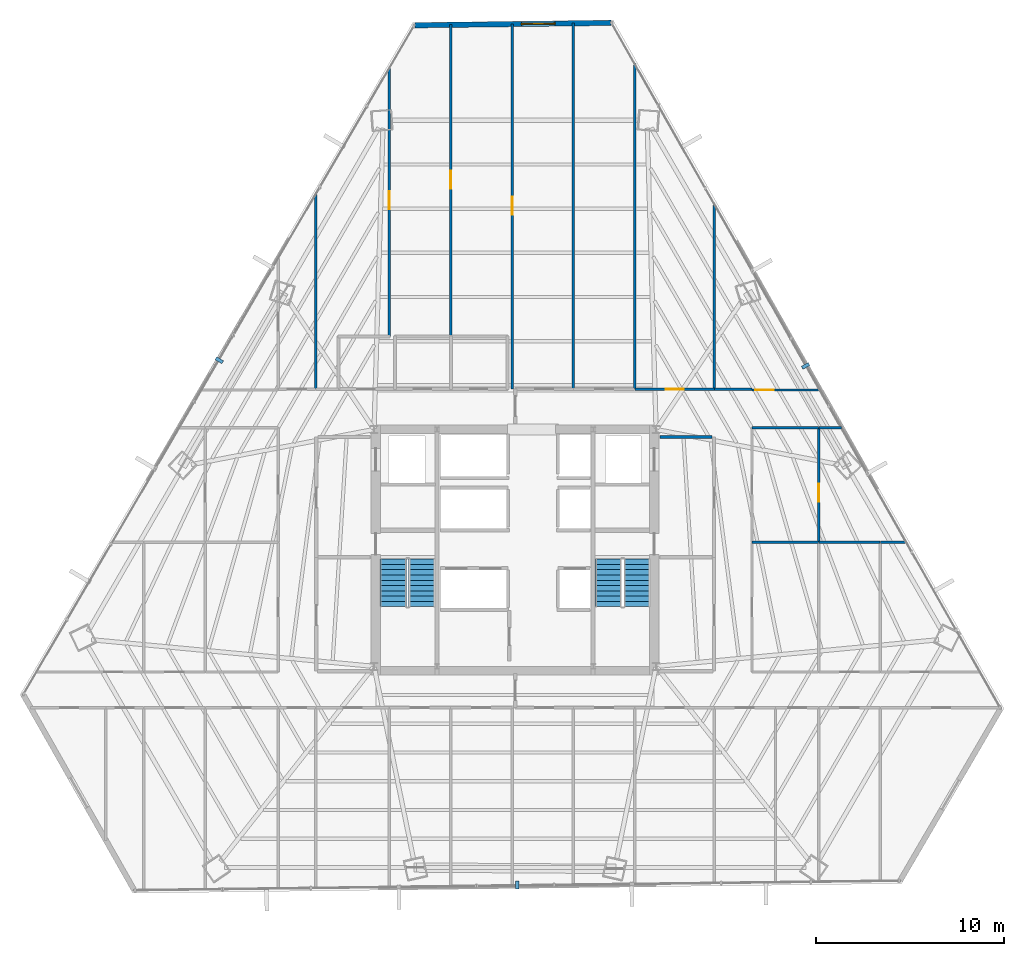
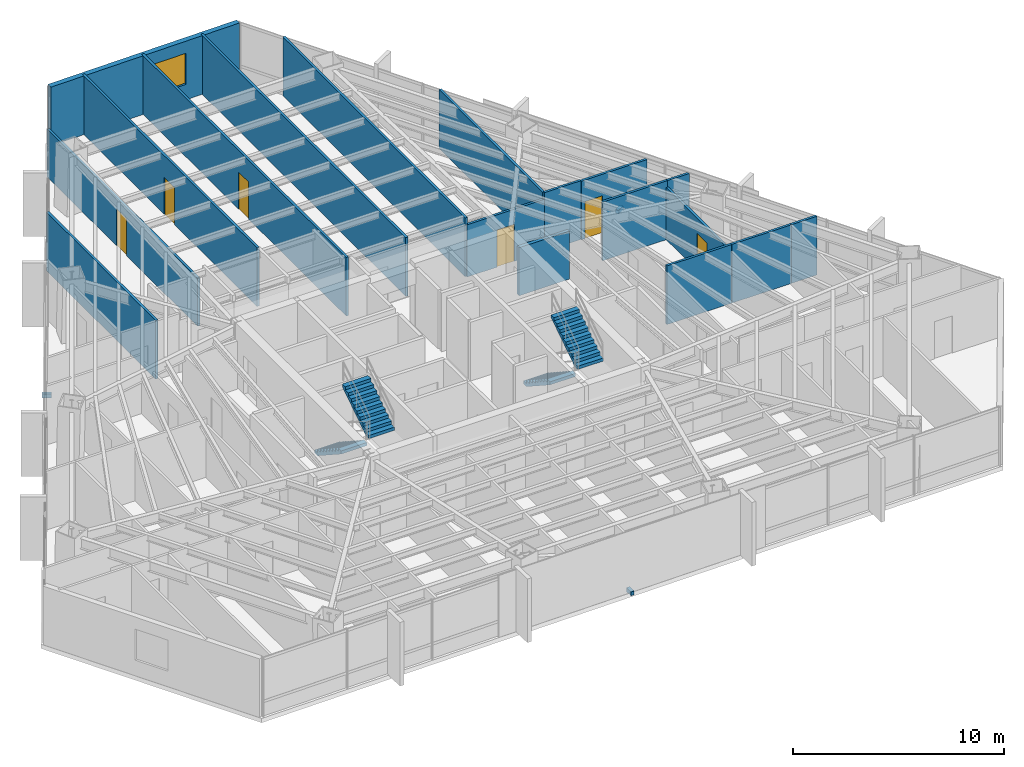
# One storey, part 34 of 37: 18 walls, 6 doors, 4 stair flights, 3 discrete accessories, 1 window, 7 openings, 2 elements without a shape of their own.
"""IFC4 building model written with IfcOpenShell, lengths in metres."""

from ifc_helpers import new_model, si_unit, direction, frame, frame_2d, origin, origin_2d, place, context, subcontext, project, spatial, polyline, rectangle, outline, extrude, source, transform, mapped, material, layer, layer_set, type_object, type_shapes, element, fill, aggregate, save


model = new_model("IFC4")

# Units and contexts
model_context = context("Model", 3, precision=1e-05, world=origin(), true_north=direction((0.0, 1.0)))
body_context = subcontext(model_context, "Body", "Model", "MODEL_VIEW")
ifc_project = project(units=[si_unit("LENGTHUNIT", "METRE"), si_unit("AREAUNIT", "SQUARE_METRE"), si_unit("VOLUMEUNIT", "CUBIC_METRE"), si_unit("PLANEANGLEUNIT", "RADIAN"), si_unit("MASSUNIT", "GRAM", prefix="KILO")], contexts=[model_context])

# Site, building, storey
site_placement = place(None, origin())
site = spatial("IfcSite", under=ifc_project, at=site_placement, CompositionType="ELEMENT")
building_placement = place(site_placement, origin())
building = spatial("IfcBuilding", under=site, at=building_placement, Name="Caelisora Broadcast Tower", CompositionType="ELEMENT")
storey_placement = place(building_placement, frame((0.0, 0.0, 120.0)))
storey = spatial("IfcBuildingStorey", under=building, at=storey_placement, Name="L31", CompositionType="ELEMENT", Elevation=120.0)

# Wall, opening, window
ifc_material_1 = material(Name="Insulated Terracotta Spandrel Wall System", Category="masonry")
ifc_layer_1 = layer(ifc_material_1, 0.280029296875, Name="Insulated Terracotta Spandrel Wall System")
ifc_layer_set_1 = layer_set([ifc_layer_1], Name="Insulated Terracotta Spandrel Wall System")
wall_type_1 = type_object("IfcWallType", Name="EW1", PredefinedType="STANDARD", material=ifc_layer_set_1)
wall_1_placement = place(storey_placement, frame((32.675048828125, 51.496337890625, 0.0), z_axis=(0.0, 0.0, 1.0), x_axis=(0.999923210631, 0.012392450999, 0.0)))
wall_1 = element("IfcWall", 1, at=wall_1_placement, inside=storey, type_object=wall_type_1, Name="L31 exterior envelope wall EW1", PredefinedType="STANDARD", context=body_context, shape_type="SweptSolid", body=[
    extrude(rectangle(XDim=10.421630859375, YDim=0.280029296875, at=frame_2d((5.2109375, 0.0))), origin(), (0.0, 0.0, 1.0), 3.39990234375),
])
opening_1_placement = place(wall_1_placement, frame((5.659912109375, 0.0, 0.89990234375)))
opening_1 = element("IfcOpeningElement", 2, at=opening_1_placement, cuts=wall_1, Name="Opening W01", PredefinedType="OPENING", context=body_context, shape_type="SweptSolid", body=[
    extrude(rectangle(XDim=1.800048828125, YDim=1.800048828125, at=frame_2d((0.89990234375, 0.89990234375))), frame((0.0, 0.152099609375, 0.0), z_axis=(0.0, -1.0, 0.0), x_axis=(1.0, 0.0, 0.0)), (0.0, 0.0, 1.0), 0.303955078125),
])
ifc_material_2 = material(Name="Double Glazed Terracotta-Framed Vision Window", Category="glass")
window_type = type_object("IfcWindowType", Name="W01", PartitioningType="SINGLE_PANEL", PredefinedType="WINDOW", material=ifc_material_2)
window_placement = place(opening_1_placement, origin())
window = element("IfcWindow", 3, at=window_placement, inside=storey, type_object=window_type, Name="L31 window W01 (L31-WN-CH8)", OverallHeight=1.800048828125, OverallWidth=1.800048828125, PartitioningType="SINGLE_PANEL", PredefinedType="WINDOW", context=body_context, shape_type="SweptSolid", body=[
    extrude(rectangle(XDim=1.800048828125, YDim=1.800048828125, at=frame_2d((0.89990234375, 0.89990234375))), frame((0.0, 0.030029296875, 0.0), z_axis=(0.0, -1.0, 0.0), x_axis=(1.0, 0.0, 0.0)), (0.0, 0.0, 1.0), 0.06005859375),
])
fill(opening_1, window)

# Walls
ifc_material_3 = material(Name="Fire-Rated Gypsum Shaft and Compartment Wall", Category="gypsum")
ifc_layer_2 = layer(ifc_material_3, 0.179931640625, Name="Fire-Rated Gypsum Shaft and Compartment Wall")
ifc_layer_set_2 = layer_set([ifc_layer_2], Name="Fire-Rated Gypsum Shaft and Compartment Wall")
wall_type_2 = type_object("IfcWallType", Name="PW2", PredefinedType="PARTITIONING", material=ifc_layer_set_2)
wall_2_placement = place(storey_placement, frame((45.719970703125, 29.60009765625, 0.0), z_axis=(0.0, 0.0, 1.0), x_axis=(1.0, 0.0, 0.0)))
element("IfcWall", 4, at=wall_2_placement, inside=storey, type_object=wall_type_2, Name="L31 fire compartment wall PW2", PredefinedType="PARTITIONING", context=body_context, shape_type="SweptSolid", body=[
    extrude(rectangle(XDim=2.760009765625, YDim=0.179931640625, at=frame_2d((1.3798828125, 0.0))), origin(), (0.0, 0.0, 1.0), 2.78271484375),
])
ifc_material_4 = material(Name="Acoustic Steel-Stud Plasterboard Partition", Category="gypsum")
ifc_layer_3 = layer(ifc_material_4, 0.1298828125, Name="Acoustic Steel-Stud Plasterboard Partition")
ifc_layer_set_3 = layer_set([ifc_layer_3], Name="Acoustic Steel-Stud Plasterboard Partition")
wall_type_3 = type_object("IfcWallType", Name="PW3", PredefinedType="PARTITIONING", material=ifc_layer_set_3)
wall_3_placement = place(storey_placement, frame((41.10009765625, 32.155029296875, 0.0), z_axis=(0.0, 0.0, 1.0), x_axis=(0.0, 1.0, 0.0)))
element("IfcWall", 5, at=wall_3_placement, inside=storey, type_object=wall_type_3, Name="L31 internal partition PW3", PredefinedType="PARTITIONING", context=body_context, shape_type="SweptSolid", body=[
    extrude(rectangle(XDim=19.45068359375, YDim=0.1298828125, at=frame_2d((9.725341796875, 0.0))), origin(), (0.0, 0.0, 1.0), 3.39990234375),
])

# Wall, opening, door
wall_4_placement = place(storey_placement, frame((37.840087890625, 32.155029296875, 0.0), z_axis=(0.0, 0.0, 1.0), x_axis=(0.0, 1.0, 0.0)))
wall_4 = element("IfcWall", 6, at=wall_4_placement, inside=storey, type_object=wall_type_3, Name="L31 internal partition PW3", PredefinedType="PARTITIONING", context=body_context, shape_type="SweptSolid", body=[
    extrude(rectangle(XDim=19.410400390625, YDim=0.1298828125, at=frame_2d((9.705078125, 0.0))), origin(), (0.0, 0.0, 1.0), 3.39990234375),
])
opening_2_placement = place(wall_4_placement, frame((9.27197265625, 0.0, 0.0)))
opening_2 = element("IfcOpeningElement", 7, at=opening_2_placement, cuts=wall_4, Name="Opening D01", PredefinedType="OPENING", context=body_context, shape_type="SweptSolid", body=[
    extrude(rectangle(XDim=0.9599609375, YDim=2.14990234375, at=frame_2d((0.47998046875, 1.074951171875))), frame((0.0, 0.076904296875, 0.0), z_axis=(0.0, -1.0, 0.0), x_axis=(1.0, 0.0, 0.0)), (0.0, 0.0, 1.0), 0.15380859375),
])
ifc_material_5 = material(Name="Solid-Core Timber Acoustic Office Door", Category="wood")
door_type = type_object("IfcDoorType", Name="D01", OperationType="NOTDEFINED", PredefinedType="DOOR", material=ifc_material_5)
door_1_placement = place(opening_2_placement, origin())
door_1 = element("IfcDoor", 8, at=door_1_placement, inside=storey, type_object=door_type, Name="L31 door D01 (L31-DR-P27D1)", OperationType="SINGLE_SWING_LEFT", OverallHeight=2.14990234375, OverallWidth=0.9599609375, PredefinedType="DOOR", context=body_context, shape_type="SweptSolid", body=[
    extrude(rectangle(XDim=0.9599609375, YDim=2.14990234375, at=frame_2d((0.47998046875, 1.074951171875))), frame((0.0, 0.02490234375, 0.0), z_axis=(0.0, -1.0, 0.0), x_axis=(1.0, 0.0, 0.0)), (0.0, 0.0, 1.0), 0.050048828125),
])
fill(opening_2, door_1)

# Wall
wall_5_placement = place(storey_placement, frame((44.360107421875, 32.155029296875, 0.0), z_axis=(0.0, 0.0, 1.0), x_axis=(0.0, 1.0, 0.0)))
element("IfcWall", 9, at=wall_5_placement, inside=storey, type_object=wall_type_3, Name="L31 internal partition PW3", PredefinedType="PARTITIONING", context=body_context, shape_type="SweptSolid", body=[
    extrude(rectangle(XDim=17.307861328125, YDim=0.1298828125, at=frame_2d((8.65380859375, 0.0))), origin(), (0.0, 0.0, 1.0), 3.39990234375),
])

# Wall, opening, door
wall_6_placement = place(storey_placement, frame((34.570068359375, 34.955078125, 0.0), z_axis=(0.0, 0.0, 1.0), x_axis=(0.0, 1.0, 0.0)))
wall_6 = element("IfcWall", 10, at=wall_6_placement, inside=storey, type_object=wall_type_3, Name="L31 internal partition PW3", PredefinedType="PARTITIONING", context=body_context, shape_type="SweptSolid", body=[
    extrude(rectangle(XDim=16.56982421875, YDim=0.1298828125, at=frame_2d((8.284912109375, 0.0))), origin(), (0.0, 0.0, 1.0), 3.39990234375),
])
opening_3_placement = place(wall_6_placement, frame((7.85205078125, 0.0, 0.0)))
opening_3 = element("IfcOpeningElement", 11, at=opening_3_placement, cuts=wall_6, Name="Opening D01", PredefinedType="OPENING", context=body_context, shape_type="SweptSolid", body=[
    extrude(rectangle(XDim=0.9599609375, YDim=2.14990234375, at=frame_2d((0.47998046875, 1.074951171875))), frame((0.0, 0.076904296875, 0.0), z_axis=(0.0, -1.0, 0.0), x_axis=(1.0, 0.0, 0.0)), (0.0, 0.0, 1.0), 0.15380859375),
])
door_2_placement = place(opening_3_placement, origin())
door_2 = element("IfcDoor", 12, at=door_2_placement, inside=storey, type_object=door_type, Name="L31 door D01 (L31-DR-P29D1)", OperationType="SINGLE_SWING_RIGHT", OverallHeight=2.14990234375, OverallWidth=0.9599609375, PredefinedType="DOOR", context=body_context, shape_type="SweptSolid", body=[
    extrude(rectangle(XDim=0.9599609375, YDim=2.14990234375, at=frame_2d((0.47998046875, 1.074951171875))), frame((0.0, 0.02490234375, 0.0), z_axis=(0.0, -1.0, 0.0), x_axis=(1.0, 0.0, 0.0)), (0.0, 0.0, 1.0), 0.050048828125),
])
fill(opening_3, door_2)

wall_7_placement = place(storey_placement, frame((31.31005859375, 34.955078125, 0.0), z_axis=(0.0, 0.0, 1.0), x_axis=(0.0, 1.0, 0.0)))
wall_7 = element("IfcWall", 13, at=wall_7_placement, inside=storey, type_object=wall_type_3, Name="L31 internal partition PW3", PredefinedType="PARTITIONING", context=body_context, shape_type="SweptSolid", body=[
    extrude(rectangle(XDim=14.2666015625, YDim=0.1298828125, at=frame_2d((7.13330078125, 0.0))), origin(), (0.0, 0.0, 1.0), 2.78271484375),
])
opening_4_placement = place(wall_7_placement, frame((6.7470703125, 0.0, 0.0)))
opening_4 = element("IfcOpeningElement", 14, at=opening_4_placement, cuts=wall_7, Name="Opening D01", PredefinedType="OPENING", context=body_context, shape_type="SweptSolid", body=[
    extrude(rectangle(XDim=0.9599609375, YDim=2.14990234375, at=frame_2d((0.47998046875, 1.074951171875))), frame((0.0, 0.076904296875, 0.0), z_axis=(0.0, -1.0, 0.0), x_axis=(1.0, 0.0, 0.0)), (0.0, 0.0, 1.0), 0.15380859375),
])
door_3_placement = place(opening_4_placement, origin())
door_3 = element("IfcDoor", 15, at=door_3_placement, inside=storey, type_object=door_type, Name="L31 door D01 (L31-DR-P30D1)", OperationType="SINGLE_SWING_LEFT", OverallHeight=2.14990234375, OverallWidth=0.9599609375, PredefinedType="DOOR", context=body_context, shape_type="SweptSolid", body=[
    extrude(rectangle(XDim=0.9599609375, YDim=2.14990234375, at=frame_2d((0.47998046875, 1.074951171875))), frame((0.0, 0.02490234375, 0.0), z_axis=(0.0, -1.0, 0.0), x_axis=(1.0, 0.0, 0.0)), (0.0, 0.0, 1.0), 0.050048828125),
])
fill(opening_4, door_3)

# Walls
wall_8_placement = place(storey_placement, frame((27.39990234375, 32.155029296875, 0.0), z_axis=(0.0, 0.0, 1.0), x_axis=(0.0, 1.0, 0.0)))
element("IfcWall", 16, at=wall_8_placement, inside=storey, type_object=wall_type_3, Name="L31 internal partition PW3", PredefinedType="PARTITIONING", context=body_context, shape_type="SweptSolid", body=[
    extrude(rectangle(XDim=10.374755859375, YDim=0.1298828125, at=frame_2d((5.1875, 0.0))), origin(), (0.0, 0.0, 1.0), 3.39990234375),
])
wall_9_placement = place(storey_placement, frame((48.60009765625, 32.155029296875, 0.0), z_axis=(0.0, 0.0, 1.0), x_axis=(0.0, 1.0, 0.0)))
element("IfcWall", 17, at=wall_9_placement, inside=storey, type_object=wall_type_3, Name="L31 internal partition PW3", PredefinedType="PARTITIONING", context=body_context, shape_type="SweptSolid", body=[
    extrude(rectangle(XDim=9.83984375, YDim=0.1298828125, at=frame_2d((4.919921875, 0.0))), origin(), (0.0, 0.0, 1.0), 3.39990234375),
])

# Wall, opening, door
wall_10_placement = place(storey_placement, frame((54.14990234375, 24.0048828125, 0.0), z_axis=(0.0, 0.0, 1.0), x_axis=(0.0, 1.0, 0.0)))
wall_10 = element("IfcWall", 18, at=wall_10_placement, inside=storey, type_object=wall_type_3, Name="L31 internal partition PW3", PredefinedType="PARTITIONING", context=body_context, shape_type="SweptSolid", body=[
    extrude(rectangle(XDim=6.090087890625, YDim=0.1298828125, at=frame_2d((3.044921875, 0.0))), origin(), (0.0, 0.0, 1.0), 3.0263671875),
])
opening_5_placement = place(wall_10_placement, frame((2.159912109375, 0.0, 0.0)))
opening_5 = element("IfcOpeningElement", 19, at=opening_5_placement, cuts=wall_10, Name="Opening D01", PredefinedType="OPENING", context=body_context, shape_type="SweptSolid", body=[
    extrude(rectangle(XDim=0.9599609375, YDim=2.14990234375, at=frame_2d((0.47998046875, 1.074951171875))), frame((0.0, 0.076904296875, 0.0), z_axis=(0.0, -1.0, 0.0), x_axis=(1.0, 0.0, 0.0)), (0.0, 0.0, 1.0), 0.15380859375),
])
door_4_placement = place(opening_5_placement, origin())
door_4 = element("IfcDoor", 20, at=door_4_placement, inside=storey, type_object=door_type, Name="L31 door D01 (L31-DR-P57D1)", OperationType="SINGLE_SWING_RIGHT", OverallHeight=2.14990234375, OverallWidth=0.9599609375, PredefinedType="DOOR", context=body_context, shape_type="SweptSolid", body=[
    extrude(rectangle(XDim=0.9599609375, YDim=2.14990234375, at=frame_2d((0.47998046875, 1.074951171875))), frame((0.0, 0.02490234375, 0.0), z_axis=(0.0, -1.0, 0.0), x_axis=(1.0, 0.0, 0.0)), (0.0, 0.0, 1.0), 0.050048828125),
])
fill(opening_5, door_4)

wall_11_placement = place(storey_placement, frame((44.364990234375, 32.14990234375, 0.0), z_axis=(0.0, 0.0, 1.0), x_axis=(1.0, 0.0, 0.0)))
wall_11 = element("IfcWall", 21, at=wall_11_placement, inside=storey, type_object=wall_type_3, Name="L31 internal partition PW3", PredefinedType="PARTITIONING", context=body_context, shape_type="SweptSolid", body=[
    extrude(rectangle(XDim=4.22998046875, YDim=0.1298828125, at=frame_2d((2.114990234375, 0.0))), origin(), (0.0, 0.0, 1.0), 3.0263671875),
])
opening_6_placement = place(wall_11_placement, frame((1.635009765625, 0.0, 0.0)))
opening_6 = element("IfcOpeningElement", 22, at=opening_6_placement, cuts=wall_11, Name="Opening D01", PredefinedType="OPENING", context=body_context, shape_type="SweptSolid", body=[
    extrude(rectangle(XDim=0.9599609375, YDim=2.14990234375, at=frame_2d((0.47998046875, 1.074951171875))), frame((0.0, 0.076904296875, 0.0), z_axis=(0.0, -1.0, 0.0), x_axis=(1.0, 0.0, 0.0)), (0.0, 0.0, 1.0), 0.15380859375),
])
door_5_placement = place(opening_6_placement, origin())
door_5 = element("IfcDoor", 23, at=door_5_placement, inside=storey, type_object=door_type, Name="L31 door D01 (L31-DR-P61D1)", OperationType="SINGLE_SWING_RIGHT", OverallHeight=2.14990234375, OverallWidth=0.9599609375, PredefinedType="DOOR", context=body_context, shape_type="SweptSolid", body=[
    extrude(rectangle(XDim=0.9599609375, YDim=2.14990234375, at=frame_2d((0.47998046875, 1.074951171875))), frame((0.0, 0.02490234375, 0.0), z_axis=(0.0, -1.0, 0.0), x_axis=(1.0, 0.0, 0.0)), (0.0, 0.0, 1.0), 0.050048828125),
])
fill(opening_6, door_5)

wall_12_placement = place(storey_placement, frame((50.60498046875, 32.10009765625, 0.0), z_axis=(0.0, 0.0, 1.0), x_axis=(1.0, 0.0, 0.0)))
wall_12 = element("IfcWall", 24, at=wall_12_placement, inside=storey, type_object=wall_type_3, Name="L31 internal partition PW3", PredefinedType="PARTITIONING", context=body_context, shape_type="SweptSolid", body=[
    extrude(rectangle(XDim=3.5869140625, YDim=0.1298828125, at=frame_2d((1.79345703125, 0.0))), origin(), (0.0, 0.0, 1.0), 3.39990234375),
])
opening_7_placement = place(wall_12_placement, frame((0.179931640625, 0.0, 0.0)))
opening_7 = element("IfcOpeningElement", 25, at=opening_7_placement, cuts=wall_12, Name="Opening D01", PredefinedType="OPENING", context=body_context, shape_type="SweptSolid", body=[
    extrude(rectangle(XDim=0.9599609375, YDim=2.14990234375, at=frame_2d((0.47998046875, 1.074951171875))), frame((0.0, 0.076904296875, 0.0), z_axis=(0.0, -1.0, 0.0), x_axis=(1.0, 0.0, 0.0)), (0.0, 0.0, 1.0), 0.15380859375),
])
door_6_placement = place(opening_7_placement, origin())
door_6 = element("IfcDoor", 26, at=door_6_placement, inside=storey, type_object=door_type, Name="L31 door D01 (L31-DR-RSC01)", OperationType="SINGLE_SWING_RIGHT", OverallHeight=2.14990234375, OverallWidth=0.9599609375, PredefinedType="DOOR", context=body_context, shape_type="SweptSolid", body=[
    extrude(rectangle(XDim=0.9599609375, YDim=2.14990234375, at=frame_2d((0.47998046875, 1.074951171875))), frame((0.0, 0.02490234375, 0.0), z_axis=(0.0, -1.0, 0.0), x_axis=(1.0, 0.0, 0.0)), (0.0, 0.0, 1.0), 0.050048828125),
])
fill(opening_7, door_6)

# Walls
for number, where, z_axis, x_axis, name in (
    (27, (50.60498046875, 30.10009765625, 0.0), (0.0, 0.0, 1.0), (1.0, 0.0, 0.0), "L31 internal partition PW3"),
    (28, (50.60498046875, 24.0, 0.0), (0.0, 0.0, 1.0), (1.0, 0.0, 0.0), "L31 internal partition PW3"),
):
    element("IfcWall", number, at=place(storey_placement, frame(where, z_axis=z_axis, x_axis=x_axis)), inside=storey, type_object=wall_type_3, Name=name, PredefinedType="PARTITIONING", context=body_context, shape_type="SweptSolid", body=[
        extrude(rectangle(XDim=3.5400390625, YDim=0.1298828125, at=frame_2d((1.77001953125, 0.0))), origin(), (0.0, 0.0, 1.0), 3.39990234375),
    ])
wall_13_placement = place(storey_placement, frame((54.155029296875, 24.0, 0.0), z_axis=(0.0, 0.0, 1.0), x_axis=(1.0, 0.0, 0.0)))
element("IfcWall", 29, at=wall_13_placement, inside=storey, type_object=wall_type_3, Name="L31 internal partition PW3", PredefinedType="PARTITIONING", context=body_context, shape_type="SweptSolid", body=[
    extrude(rectangle(XDim=3.260009765625, YDim=0.1298828125, at=frame_2d((1.6298828125, 0.0))), origin(), (0.0, 0.0, 1.0), 3.39990234375),
])
wall_14_placement = place(storey_placement, frame((48.60498046875, 32.14990234375, 0.0), z_axis=(0.0, 0.0, 1.0), x_axis=(1.0, 0.0, 0.0)))
element("IfcWall", 30, at=wall_14_placement, inside=storey, type_object=wall_type_3, Name="L31 internal partition PW3", PredefinedType="PARTITIONING", context=body_context, shape_type="SweptSolid", body=[
    extrude(rectangle(XDim=1.989990234375, YDim=0.1298828125, at=frame_2d((0.9951171875, 0.0))), origin(), (0.0, 0.0, 1.0), 3.39990234375),
])
wall_15_placement = place(storey_placement, frame((57.425048828125, 24.0, 0.0), z_axis=(0.0, 0.0, 1.0), x_axis=(1.0, 0.0, 0.0)))
element("IfcWall", 31, at=wall_15_placement, inside=storey, type_object=wall_type_3, Name="L31 internal partition PW3", PredefinedType="PARTITIONING", context=body_context, shape_type="SweptSolid", body=[
    extrude(rectangle(XDim=1.391357421875, YDim=0.1298828125, at=frame_2d((0.69580078125, 0.0))), origin(), (0.0, 0.0, 1.0), 3.39990234375),
])
wall_16_placement = place(storey_placement, frame((54.155029296875, 30.10009765625, 0.0), z_axis=(0.0, 0.0, 1.0), x_axis=(1.0, 0.0, 0.0)))
element("IfcWall", 32, at=wall_16_placement, inside=storey, type_object=wall_type_3, Name="L31 internal partition PW3", PredefinedType="PARTITIONING", context=body_context, shape_type="SweptSolid", body=[
    extrude(rectangle(XDim=1.1982421875, YDim=0.1298828125, at=frame_2d((0.59912109375, 0.0))), origin(), (0.0, 0.0, 1.0), 3.39990234375),
])

# Stair, stair flights
ifc_material_6 = material(Name="Concrete 40 MPa (AS 3600 N40)", Category="concrete")
stair_type_1 = type_object("IfcStairType", Name="ST-1", PredefinedType="HALF_TURN_STAIR", material=ifc_material_6)
stair_1_placement = place(storey_placement, origin())
stair_1 = element("IfcStair", 33, at=stair_1_placement, inside=storey, type_object=stair_type_1, Name="L31 West Fire-Isolated Tower Stair", PredefinedType="HALF_TURN_STAIR")
stair_flight_type = type_object("IfcStairFlightType", Name="STF-2", PredefinedType="STRAIGHT", material=ifc_material_6)
stair_flight_1_placement = place(storey_placement, frame((31.52001953125, 23.10009765625, 0.0), z_axis=(0.0, 0.0, 1.0), x_axis=(0.0, -1.0, 0.0)))
stair_flight_1 = element("IfcStairFlight", 34, at=stair_flight_1_placement, type_object=stair_flight_type, Name="ST-1 flight 1", NumberOfRisers=10, NumberOfTreads=9, PredefinedType="STRAIGHT", RiserHeight=0.1825, TreadLength=0.28, context=body_context, shape_type="SweptSolid", body=[
    extrude(outline(polyline([(0.0, 0.0), (0.0, 0.1826171875), (0.280029296875, 0.1826171875), (0.280029296875, 0.364990234375), (0.56005859375, 0.364990234375), (0.56005859375, 0.547607421875), (0.840087890625, 0.547607421875), (0.840087890625, 0.72998046875), (1.1201171875, 0.72998046875), (1.1201171875, 0.91259765625), (1.39990234375, 0.91259765625), (1.39990234375, 1.094970703125), (1.679931640625, 1.094970703125), (1.679931640625, 1.277587890625), (1.9599609375, 1.277587890625), (1.9599609375, 1.4599609375), (2.239990234375, 1.4599609375), (2.239990234375, 1.642578125), (2.52001953125, 1.642578125), (2.52001953125, 1.824951171875), (2.52001953125, 1.463623046875), (0.2744140625, 0.0), (0.0, 0.0)])), frame((0.0, 0.699951171875, 0.0), z_axis=(0.0, -1.0, 0.0), x_axis=(1.0, 0.0, 0.0)), (0.0, 0.0, 1.0), 1.39990234375),
])
stair_flight_2_placement = place(storey_placement, frame((33.0400390625, 20.580078125, 1.824951171875), z_axis=(0.0, 0.0, 1.0), x_axis=(0.0, 1.0, 0.0)))
stair_flight_2 = element("IfcStairFlight", 35, at=stair_flight_2_placement, type_object=stair_flight_type, Name="ST-1 flight 2", NumberOfRisers=10, NumberOfTreads=9, PredefinedType="STRAIGHT", RiserHeight=0.1825, TreadLength=0.28, context=body_context, shape_type="SweptSolid", body=[
    extrude(outline(polyline([(0.0, 0.0), (0.0, 0.1826171875), (0.280029296875, 0.1826171875), (0.280029296875, 0.364990234375), (0.56005859375, 0.364990234375), (0.56005859375, 0.547607421875), (0.840087890625, 0.547607421875), (0.840087890625, 0.72998046875), (1.1201171875, 0.72998046875), (1.1201171875, 0.91259765625), (1.39990234375, 0.91259765625), (1.39990234375, 1.094970703125), (1.679931640625, 1.094970703125), (1.679931640625, 1.277587890625), (1.9599609375, 1.277587890625), (1.9599609375, 1.4599609375), (2.239990234375, 1.4599609375), (2.239990234375, 1.642578125), (2.52001953125, 1.642578125), (2.52001953125, 1.824951171875), (2.52001953125, 1.463623046875), (0.2744140625, 0.0), (0.0, 0.0)])), frame((0.0, 0.699951171875, 0.0), z_axis=(0.0, -1.0, 0.0), x_axis=(1.0, 0.0, 0.0)), (0.0, 0.0, 1.0), 1.39990234375),
])
aggregate(stair_1, [stair_flight_1, stair_flight_2])

stair_type_2 = type_object("IfcStairType", Name="ST-2", PredefinedType="HALF_TURN_STAIR", material=ifc_material_6)
stair_2_placement = place(storey_placement, origin())
stair_2 = element("IfcStair", 36, at=stair_2_placement, inside=storey, type_object=stair_type_2, Name="L31 East Fire-Isolated Tower Stair", PredefinedType="HALF_TURN_STAIR")
stair_flight_3_placement = place(storey_placement, frame((42.9599609375, 23.10009765625, 0.0), z_axis=(0.0, 0.0, 1.0), x_axis=(0.0, -1.0, 0.0)))
stair_flight_3 = element("IfcStairFlight", 37, at=stair_flight_3_placement, type_object=stair_flight_type, Name="ST-2 flight 1", NumberOfRisers=10, NumberOfTreads=9, PredefinedType="STRAIGHT", RiserHeight=0.1825, TreadLength=0.28, context=body_context, shape_type="SweptSolid", body=[
    extrude(outline(polyline([(0.0, 0.0), (0.0, 0.1826171875), (0.280029296875, 0.1826171875), (0.280029296875, 0.364990234375), (0.56005859375, 0.364990234375), (0.56005859375, 0.547607421875), (0.840087890625, 0.547607421875), (0.840087890625, 0.72998046875), (1.1201171875, 0.72998046875), (1.1201171875, 0.91259765625), (1.39990234375, 0.91259765625), (1.39990234375, 1.094970703125), (1.679931640625, 1.094970703125), (1.679931640625, 1.277587890625), (1.9599609375, 1.277587890625), (1.9599609375, 1.4599609375), (2.239990234375, 1.4599609375), (2.239990234375, 1.642578125), (2.52001953125, 1.642578125), (2.52001953125, 1.824951171875), (2.52001953125, 1.463623046875), (0.2744140625, 0.0), (0.0, 0.0)])), frame((0.0, 0.699951171875, 0.0), z_axis=(0.0, -1.0, 0.0), x_axis=(1.0, 0.0, 0.0)), (0.0, 0.0, 1.0), 1.39990234375),
])
stair_flight_4_placement = place(storey_placement, frame((44.47998046875, 20.580078125, 1.824951171875), z_axis=(0.0, 0.0, 1.0), x_axis=(0.0, 1.0, 0.0)))
stair_flight_4 = element("IfcStairFlight", 38, at=stair_flight_4_placement, type_object=stair_flight_type, Name="ST-2 flight 2", NumberOfRisers=10, NumberOfTreads=9, PredefinedType="STRAIGHT", RiserHeight=0.1825, TreadLength=0.28, context=body_context, shape_type="SweptSolid", body=[
    extrude(outline(polyline([(0.0, 0.0), (0.0, 0.1826171875), (0.280029296875, 0.1826171875), (0.280029296875, 0.364990234375), (0.56005859375, 0.364990234375), (0.56005859375, 0.547607421875), (0.840087890625, 0.547607421875), (0.840087890625, 0.72998046875), (1.1201171875, 0.72998046875), (1.1201171875, 0.91259765625), (1.39990234375, 0.91259765625), (1.39990234375, 1.094970703125), (1.679931640625, 1.094970703125), (1.679931640625, 1.277587890625), (1.9599609375, 1.277587890625), (1.9599609375, 1.4599609375), (2.239990234375, 1.4599609375), (2.239990234375, 1.642578125), (2.52001953125, 1.642578125), (2.52001953125, 1.824951171875), (2.52001953125, 1.463623046875), (0.2744140625, 0.0), (0.0, 0.0)])), frame((0.0, 0.699951171875, 0.0), z_axis=(0.0, -1.0, 0.0), x_axis=(1.0, 0.0, 0.0)), (0.0, 0.0, 1.0), 1.39990234375),
])
aggregate(stair_2, [stair_flight_3, stair_flight_4])

# Discrete accessories
ifc_material_7 = material(Name="Steel Grade 350 (AS/NZS 3679.1)", Category="steel")
discrete_accessory_type = type_object("IfcDiscreteAccessoryType", Name="BRK-1", PredefinedType="BRACKET", material=ifc_material_7)
shared_shape = source(origin(), body_context, "Body", "SweptSolid", [
    extrude(rectangle(XDim=0.179931640625, YDim=0.419921875, at=origin_2d()), origin(), (0.0, 0.0, 1.0), 0.219970703125),
])
type_shapes(discrete_accessory_type, [shared_shape])
for number, where, z_axis, x_axis, name in (
    (39, (22.268798828125, 33.6787109375, -0.16015625), (0.0, 0.0, 1.0), (-0.504527623815, -0.863395550607, 0.0), "L31 solar screen outrigger bracket #1"),
    (40, (38.10888671875, 5.771484375, -0.16015625), (0.0, 0.0, 1.0), (0.999923222162, 0.012391520548, 0.0), "L31 solar screen outrigger bracket #2"),
    (41, (53.450927734375, 33.379638671875, -0.16015625), (0.0, 0.0, 1.0), (-0.493790103568, 0.86958112538, 0.0), "L31 solar screen outrigger bracket #3"),
):
    element("IfcDiscreteAccessory", number, at=place(storey_placement, frame(where, z_axis=z_axis, x_axis=x_axis)), inside=storey, type_object=discrete_accessory_type, Name=name, PredefinedType="BRACKET", context=body_context, shape_type="MappedRepresentation", body=[
        mapped(shared_shape, transform((0.0, 0.0, 0.0), scale=1.0)),
    ])

save(model, "model.ifc")
